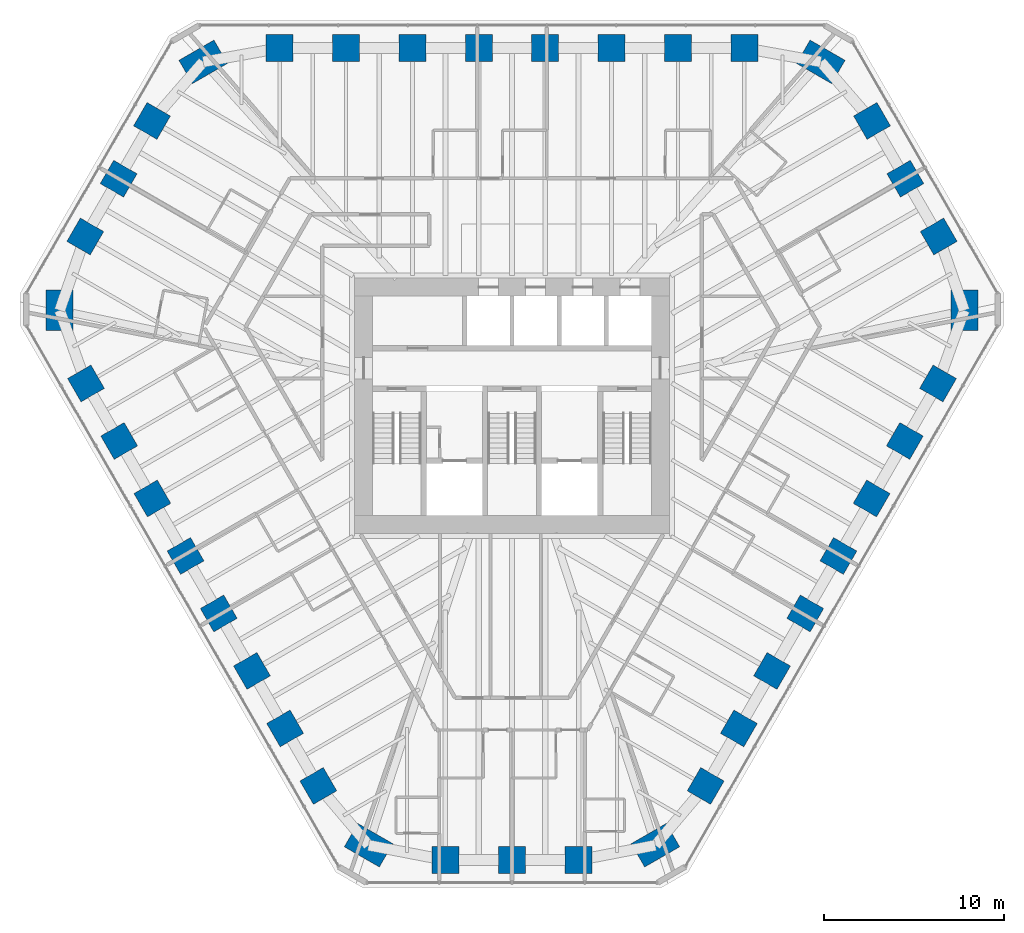
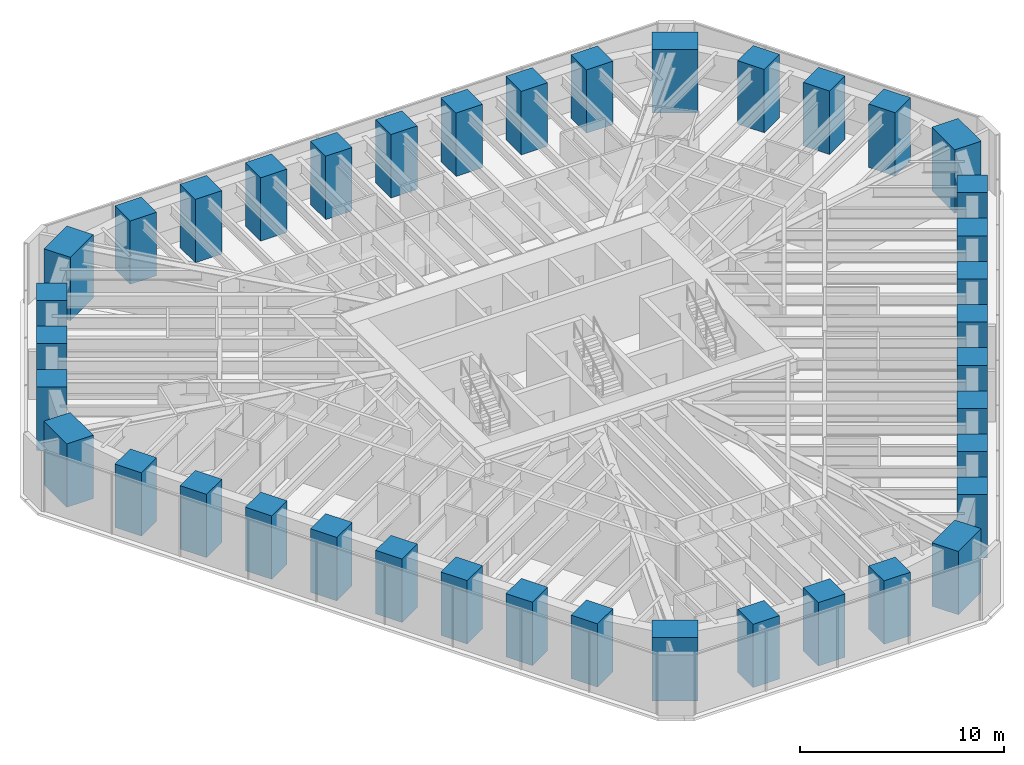
# One storey, part 1 of 16: 39 columns.
"""IFC4 building model written with IfcOpenShell, lengths in metres."""

from ifc_helpers import new_model, si_unit, direction, frame, origin, origin_2d, place, context, subcontext, project, spatial, rectangle, extrude, material, material_profile, profile_set, type_object, element, save


model = new_model("IFC4")

# Units and contexts
model_context = context("Model", 3, precision=1e-05, world=origin(), true_north=direction((0.0, 1.0)))
body_context = subcontext(model_context, "Body", "Model", "MODEL_VIEW")
ifc_project = project(units=[si_unit("LENGTHUNIT", "METRE"), si_unit("AREAUNIT", "SQUARE_METRE"), si_unit("VOLUMEUNIT", "CUBIC_METRE"), si_unit("PLANEANGLEUNIT", "RADIAN"), si_unit("MASSUNIT", "GRAM", prefix="KILO")], contexts=[model_context])

# Site, building, storey
site_placement = place(None, origin())
site = spatial("IfcSite", under=ifc_project, at=site_placement, CompositionType="ELEMENT")
building_placement = place(site_placement, origin())
building = spatial("IfcBuilding", under=site, at=building_placement, Name="Sandreach Pilgrim Tower", CompositionType="ELEMENT")
storey_placement = place(building_placement, frame((0.0, 0.0, 190.800048828125)))
storey = spatial("IfcBuildingStorey", under=building, at=storey_placement, Name="L47", CompositionType="ELEMENT", Elevation=190.800048828125)

# Columns
ifc_material_1 = material(Name="Concrete 10000 psi", Category="concrete")
ifc_material_profile_1 = material_profile(ifc_material_1, rectangle(XDim=1.5, YDim=1.5, at=origin_2d()), Name="RC1500X1500")
ifc_profile_set_1 = profile_set([ifc_material_profile_1], Name="Concrete 10000 psi")
column_type_1 = type_object("IfcColumnType", Name="Tube column RC1500X1500", PredefinedType="COLUMN", material=ifc_profile_set_1)
for number, where, z_axis, x_axis, name in (
    (1, (-12.923828125, 19.900146484375, 0.0), (0.0, 0.0, 1.0), (0.0, 1.0, 0.0), "COL L47 T01"),
    (2, (-9.231201171875, 19.900146484375, 0.0), (0.0, 0.0, 1.0), (0.0, 1.0, 0.0), "COL L47 T02"),
    (3, (-5.538818359375, 19.900146484375, 0.0), (0.0, 0.0, 1.0), (0.0, 1.0, 0.0), "COL L47 T03"),
    (4, (-1.84619140625, 19.900146484375, 0.0), (0.0, 0.0, 1.0), (0.0, 1.0, 0.0), "COL L47 T04"),
    (5, (1.84619140625, 19.900146484375, 0.0), (0.0, 0.0, 1.0), (0.0, 1.0, 0.0), "COL L47 T05"),
    (6, (5.538818359375, 19.900146484375, 0.0), (0.0, 0.0, 1.0), (0.0, 1.0, 0.0), "COL L47 T06"),
    (7, (9.231201171875, 19.900146484375, 0.0), (0.0, 0.0, 1.0), (0.0, 1.0, 0.0), "COL L47 T07"),
    (8, (12.923828125, 19.900146484375, 0.0), (0.0, 0.0, 1.0), (0.0, 1.0, 0.0), "COL L47 T08"),
    (9, (20.025146484375, 15.845947265625, 0.0), (0.0, 0.0, 1.0), (0.866025403784, 0.5, 0.0), "COL L47 T10"),
    (10, (21.88037109375, 12.632568359375, 0.0), (0.0, 0.0, 1.0), (0.866025403784, 0.5, 0.0), "COL L47 T11"),
    (11, (23.7353515625, 9.419189453125, 0.0), (0.0, 0.0, 1.0), (0.866025403784, 0.5, 0.0), "COL L47 T12"),
    (12, (23.69580078125, 1.2421875, 0.0), (0.0, 0.0, 1.0), (0.866025403784, -0.5, 0.0), "COL L47 T14"),
    (13, (21.849609375, -1.95556640625, 0.0), (0.0, 0.0, 1.0), (0.866025403784, -0.5, 0.0), "COL L47 T15"),
    (14, (20.00341796875, -5.1533203125, 0.0), (0.0, 0.0, 1.0), (0.866025403784, -0.5, 0.0), "COL L47 T16"),
    (15, (18.1572265625, -8.35107421875, 0.0), (0.0, 0.0, 1.0), (0.866025403784, -0.5, 0.0), "COL L47 T17"),
    (16, (16.310791015625, -11.548828125, 0.0), (0.0, 0.0, 1.0), (0.866025403784, -0.5, 0.0), "COL L47 T18"),
    (17, (14.464599609375, -14.746826171875, 0.0), (0.0, 0.0, 1.0), (0.866025403784, -0.5, 0.0), "COL L47 T19"),
    (18, (12.618408203125, -17.944580078125, 0.0), (0.0, 0.0, 1.0), (0.866025403784, -0.5, 0.0), "COL L47 T20"),
    (19, (10.772216796875, -21.142333984375, 0.0), (0.0, 0.0, 1.0), (0.866025403784, -0.5, 0.0), "COL L47 T21"),
    (20, (3.71044921875, -25.26513671875, 0.0), (0.0, 0.0, 1.0), (0.0, -1.0, 0.0), "COL L47 T23"),
    (21, (0.0, -25.26513671875, 0.0), (0.0, 0.0, 1.0), (0.0, -1.0, 0.0), "COL L47 T24"),
    (22, (-3.71044921875, -25.26513671875, 0.0), (0.0, 0.0, 1.0), (0.0, -1.0, 0.0), "COL L47 T25"),
    (23, (-10.772216796875, -21.142333984375, 0.0), (0.0, 0.0, 1.0), (-0.866025403784, -0.5, 0.0), "COL L47 T27"),
    (24, (-12.618408203125, -17.944580078125, 0.0), (0.0, 0.0, 1.0), (-0.866025403784, -0.5, 0.0), "COL L47 T28"),
    (25, (-14.464599609375, -14.746826171875, 0.0), (0.0, 0.0, 1.0), (-0.866025403784, -0.5, 0.0), "COL L47 T29"),
    (26, (-16.310791015625, -11.548828125, 0.0), (0.0, 0.0, 1.0), (-0.866025403784, -0.5, 0.0), "COL L47 T30"),
    (27, (-18.1572265625, -8.35107421875, 0.0), (0.0, 0.0, 1.0), (-0.866025403784, -0.5, 0.0), "COL L47 T31"),
    (28, (-20.00341796875, -5.1533203125, 0.0), (0.0, 0.0, 1.0), (-0.866025403784, -0.5, 0.0), "COL L47 T32"),
    (29, (-21.849609375, -1.95556640625, 0.0), (0.0, 0.0, 1.0), (-0.866025403784, -0.5, 0.0), "COL L47 T33"),
    (30, (-23.69580078125, 1.2421875, 0.0), (0.0, 0.0, 1.0), (-0.866025403784, -0.5, 0.0), "COL L47 T34"),
    (31, (-23.7353515625, 9.419189453125, 0.0), (0.0, 0.0, 1.0), (-0.866025403784, 0.5, 0.0), "COL L47 T36"),
    (32, (-21.88037109375, 12.632568359375, 0.0), (0.0, 0.0, 1.0), (-0.866025403784, 0.5, 0.0), "COL L47 T37"),
    (33, (-20.025146484375, 15.845947265625, 0.0), (0.0, 0.0, 1.0), (-0.866025403784, 0.5, 0.0), "COL L47 T38"),
):
    element("IfcColumn", number, at=place(storey_placement, frame(where, z_axis=z_axis, x_axis=x_axis)), inside=storey, type_object=column_type_1, Name=name, PredefinedType="COLUMN", context=body_context, shape_type="SweptSolid", body=[
        extrude(rectangle(XDim=1.5, YDim=1.5, at=origin_2d()), origin(), (0.0, 0.0, 1.0), 3.800048828125),
    ])
ifc_material_2 = material(Name="Concrete 10000 psi", Category="concrete")
ifc_material_profile_2 = material_profile(ifc_material_2, rectangle(XDim=1.5, YDim=2.25, at=origin_2d()), Name="RC1500X2250")
ifc_profile_set_2 = profile_set([ifc_material_profile_2], Name="Concrete 10000 psi")
column_type_2 = type_object("IfcColumnType", Name="Tube corner pier RC1500X2250", PredefinedType="COLUMN", material=ifc_profile_set_2)
for number, where, z_axis, x_axis, name in (
    (34, (17.177978515625, 19.130615234375, 0.0), (0.0, 0.0, 1.0), (0.5, 0.866025403784, 0.0), "COL L47 T09"),
    (35, (25.156494140625, 5.311279296875, 0.0), (0.0, 0.0, 1.0), (1.0, 0.0, 0.0), "COL L47 T13"),
    (36, (7.978515625, -24.44189453125, 0.0), (0.0, 0.0, 1.0), (0.5, -0.866025403784, 0.0), "COL L47 T22"),
    (37, (-7.978515625, -24.44189453125, 0.0), (0.0, 0.0, 1.0), (-0.5, -0.866025403784, 0.0), "COL L47 T26"),
    (38, (-25.156494140625, 5.311279296875, 0.0), (0.0, 0.0, 1.0), (-1.0, 0.0, 0.0), "COL L47 T35"),
    (39, (-17.177978515625, 19.130615234375, 0.0), (0.0, 0.0, 1.0), (-0.5, 0.866025403784, 0.0), "COL L47 T39"),
):
    element("IfcColumn", number, at=place(storey_placement, frame(where, z_axis=z_axis, x_axis=x_axis)), inside=storey, type_object=column_type_2, Name=name, PredefinedType="COLUMN", context=body_context, shape_type="SweptSolid", body=[
        extrude(rectangle(XDim=1.5, YDim=2.25, at=origin_2d()), origin(), (0.0, 0.0, 1.0), 3.800048828125),
    ])

save(model, "model.ifc")
